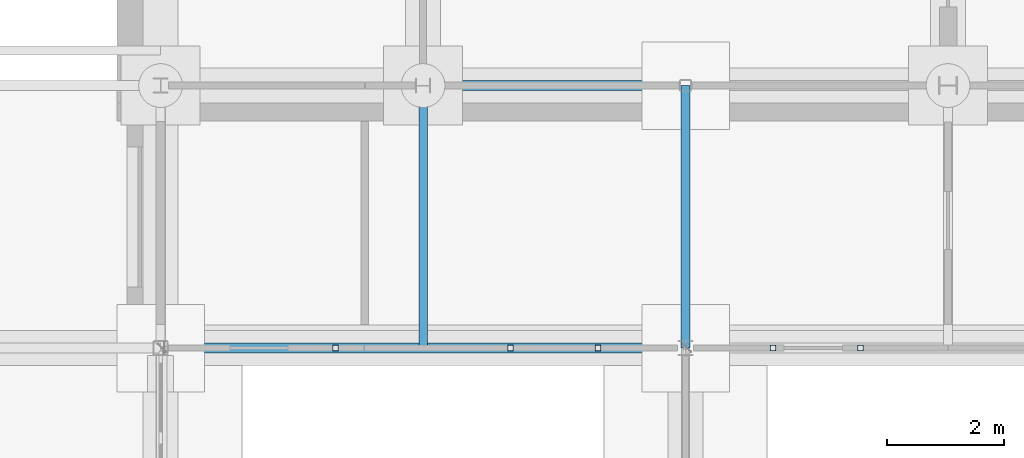
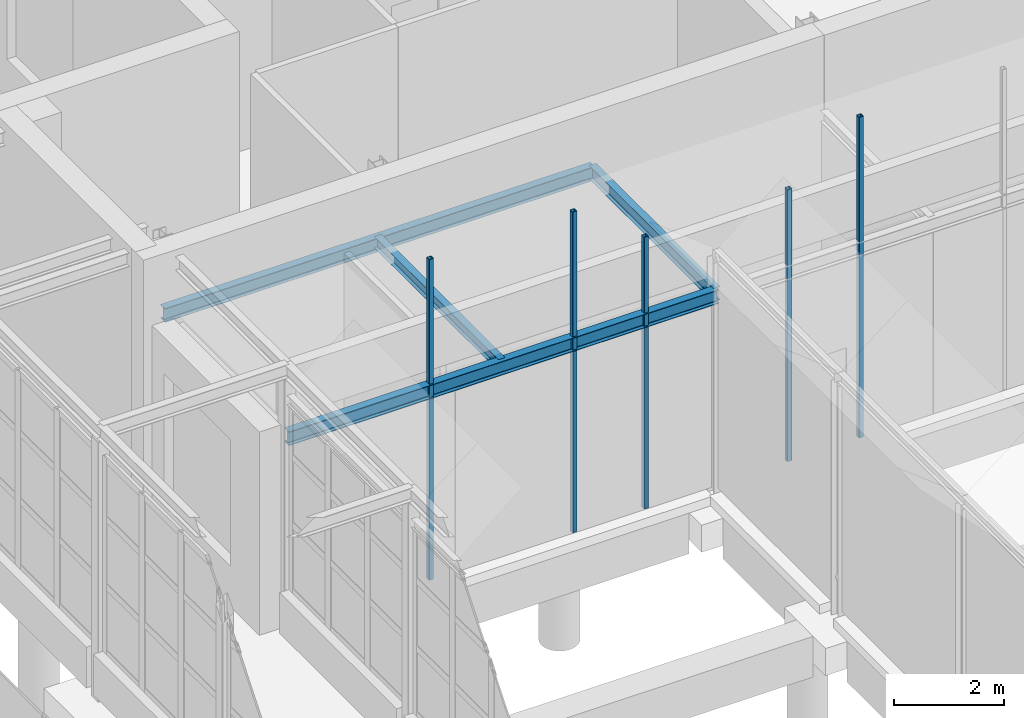
# One storey, part 50 of 106: 5 members, 4 beams.
"""IFC4 building model written with IfcOpenShell, lengths in metres."""

from ifc_helpers import new_model, si_unit, direction, frame, origin, origin_2d, place, context, subcontext, project, spatial, hollow_rectangle, i_section, extrude, material, material_profile, profile_set, type_object, element, save


model = new_model("IFC4")

# Units and contexts
model_context = context("Model", 3, precision=1e-05, world=origin(), true_north=direction((0.0, 1.0)))
body_context = subcontext(model_context, "Body", "Model", "MODEL_VIEW")
ifc_project = project(units=[si_unit("LENGTHUNIT", "METRE"), si_unit("AREAUNIT", "SQUARE_METRE"), si_unit("VOLUMEUNIT", "CUBIC_METRE"), si_unit("PLANEANGLEUNIT", "RADIAN"), si_unit("MASSUNIT", "GRAM", prefix="KILO")], contexts=[model_context])

# Site, building, storey
site_placement = place(None, origin())
site = spatial("IfcSite", under=ifc_project, at=site_placement, CompositionType="ELEMENT")
building_placement = place(site_placement, origin())
building = spatial("IfcBuilding", under=site, at=building_placement, Name="Hortulan Conservatory and Botanical Research Centre", CompositionType="ELEMENT")
storey_placement = place(building_placement, origin())
storey = spatial("IfcBuildingStorey", under=building, at=storey_placement, Name="L00", CompositionType="ELEMENT", Elevation=0.0)

# Members
ifc_material_1 = material(Name="Steel Grade C450L0 (450 MPa, AS/NZS 1163)", Category="steel")
ifc_material_profile_1 = material_profile(ifc_material_1, hollow_rectangle(XDim=0.10009765625, YDim=0.10009765625, WallThickness=0.006103515625, InnerFilletRadius=0.009033203125, OuterFilletRadius=0.014892578125, at=origin_2d()), Name="100x100x6SHS")
ifc_profile_set_1 = profile_set([ifc_material_profile_1], Name="Steel Grade C450L0 (450 MPa, AS/NZS 1163)")
member_type = type_object("IfcMemberType", Name="Climate House Gable Post 100x100x6 SHS", PredefinedType="POST", material=ifc_profile_set_1)
for number, where, z_axis, x_axis, name in (
    (1, (79.5, 31.5, 0.010009765625), (0.0, 0.0, 1.0), (1.0, 0.0, 0.0), "Temperate Glasshouse gable post N 3"),
    (2, (82.5, 31.5, 0.010009765625), (0.0, 0.0, 1.0), (1.0, 0.0, 0.0), "Temperate Glasshouse gable post N 6"),
):
    element("IfcMember", number, at=place(storey_placement, frame(where, z_axis=z_axis, x_axis=x_axis)), inside=storey, type_object=member_type, Name=name, PredefinedType="POST", context=body_context, shape_type="SweptSolid", body=[
        extrude(hollow_rectangle(XDim=0.10009765625, YDim=0.10009765625, WallThickness=0.006103515625, InnerFilletRadius=0.009033203125, OuterFilletRadius=0.014892578125, at=origin_2d()), origin(), (0.0, 0.0, 1.0), 7.098876953125),
    ])
for number, where, z_axis, x_axis, name in (
    (3, (84.0, 31.5, 0.010009765625), (0.0, 0.0, 1.0), (1.0, 0.0, 0.0), "Temperate Glasshouse gable post N 7.5"),
    (4, (87.0, 31.5, 0.010009765625), (0.0, 0.0, 1.0), (1.0, 0.0, 0.0), "Arid Glasshouse gable post N 1.5"),
):
    element("IfcMember", number, at=place(storey_placement, frame(where, z_axis=z_axis, x_axis=x_axis)), inside=storey, type_object=member_type, Name=name, PredefinedType="POST", context=body_context, shape_type="SweptSolid", body=[
        extrude(hollow_rectangle(XDim=0.10009765625, YDim=0.10009765625, WallThickness=0.006103515625, InnerFilletRadius=0.009033203125, OuterFilletRadius=0.014892578125, at=origin_2d()), origin(), (0.0, 0.0, 1.0), 6.0185546875),
    ])
member_placement = place(storey_placement, frame((88.5, 31.5, 0.010009765625), z_axis=(0.0, 0.0, 1.0), x_axis=(1.0, 0.0, 0.0)))
element("IfcMember", 5, at=member_placement, inside=storey, type_object=member_type, Name="Arid Glasshouse gable post N 3", PredefinedType="POST", context=body_context, shape_type="SweptSolid", body=[
    extrude(hollow_rectangle(XDim=0.10009765625, YDim=0.10009765625, WallThickness=0.006103515625, InnerFilletRadius=0.009033203125, OuterFilletRadius=0.014892578125, at=origin_2d()), origin(), (0.0, 0.0, 1.0), 7.098876953125),
])

# Beams
ifc_material_2 = material(Name="Steel Grade 300PLUS (AS/NZS 3679.1, 280 MPa minimum yield)", Category="steel")
ifc_material_profile_2 = material_profile(ifc_material_2, i_section(OverallWidth=0.1650390625, OverallDepth=0.303955078125, WebThickness=0.006103515625, FlangeThickness=0.01025390625, FilletRadius=0.011474609375, at=origin_2d()), Name="310UB40.4")
ifc_profile_set_2 = profile_set([ifc_material_profile_2], Name="Steel Grade 300PLUS (AS/NZS 3679.1, 280 MPa minimum yield)")
beam_type_1 = type_object("IfcBeamType", Name="Gardeners Block Edge Beam 310UB40.4", PredefinedType="BEAM", material=ifc_profile_set_2)
for number, where, z_axis, x_axis, name in (
    (6, (76.5, 36.0, 4.197998046875), (1.0, 0.0, 0.0), (0.0, 1.0, 0.0), "Gardeners block rear beam 1"),
    (7, (76.5, 31.5, 4.197998046875), (1.0, 0.0, 0.0), (0.0, 1.0, 0.0), "Gardeners block front beam 1"),
):
    element("IfcBeam", number, at=place(storey_placement, frame(where, z_axis=z_axis, x_axis=x_axis)), inside=storey, type_object=beam_type_1, Name=name, PredefinedType="BEAM", context=body_context, shape_type="SweptSolid", body=[
        extrude(i_section(OverallWidth=0.1650390625, OverallDepth=0.303955078125, WebThickness=0.006103515625, FlangeThickness=0.01025390625, FilletRadius=0.011474609375, at=origin_2d()), origin(), (0.0, 0.0, 1.0), 9.0),
    ])
ifc_material_profile_3 = material_profile(ifc_material_2, i_section(OverallWidth=0.14892578125, OverallDepth=0.298095703125, WebThickness=0.005615234375, FlangeThickness=0.008056640625, FilletRadius=0.012939453125, at=origin_2d()), Name="310UB32.0")
ifc_profile_set_3 = profile_set([ifc_material_profile_3], Name="Steel Grade 300PLUS (AS/NZS 3679.1, 280 MPa minimum yield)")
beam_type_2 = type_object("IfcBeamType", Name="Gardeners Block Primary Beam 310UB32.0", PredefinedType="BEAM", material=ifc_profile_set_3)
beam_1_placement = place(storey_placement, frame((85.5, 31.5, 4.200927734375), z_axis=(0.0, 1.0, 0.0), x_axis=(-1.0, 0.0, 0.0)))
element("IfcBeam", 8, at=beam_1_placement, inside=storey, type_object=beam_type_2, Name="Gardeners block primary beam 2", PredefinedType="BEAM", context=body_context, shape_type="SweptSolid", body=[
    extrude(i_section(OverallWidth=0.14892578125, OverallDepth=0.298095703125, WebThickness=0.005615234375, FlangeThickness=0.008056640625, FilletRadius=0.012939453125, at=origin_2d()), origin(), (0.0, 0.0, 1.0), 4.5),
])
ifc_material_profile_4 = material_profile(ifc_material_2, i_section(OverallWidth=0.14599609375, OverallDepth=0.251953125, WebThickness=0.006103515625, FlangeThickness=0.008544921875, FilletRadius=0.0087890625, at=origin_2d()), Name="250UB31.4")
ifc_profile_set_4 = profile_set([ifc_material_profile_4], Name="Steel Grade 300PLUS (AS/NZS 3679.1, 280 MPa minimum yield)")
beam_type_3 = type_object("IfcBeamType", Name="Gardeners Block Secondary Beam 250UB31.4", PredefinedType="BEAM", material=ifc_profile_set_4)
beam_2_placement = place(storey_placement, frame((81.0, 31.5, 4.22412109375), z_axis=(0.0, 1.0, 0.0), x_axis=(-1.0, 0.0, 0.0)))
element("IfcBeam", 9, at=beam_2_placement, inside=storey, type_object=beam_type_3, Name="Gardeners block secondary beam 1", PredefinedType="BEAM", context=body_context, shape_type="SweptSolid", body=[
    extrude(i_section(OverallWidth=0.14599609375, OverallDepth=0.251953125, WebThickness=0.006103515625, FlangeThickness=0.008544921875, FilletRadius=0.0087890625, at=origin_2d()), origin(), (0.0, 0.0, 1.0), 4.5),
])

save(model, "model.ifc")
